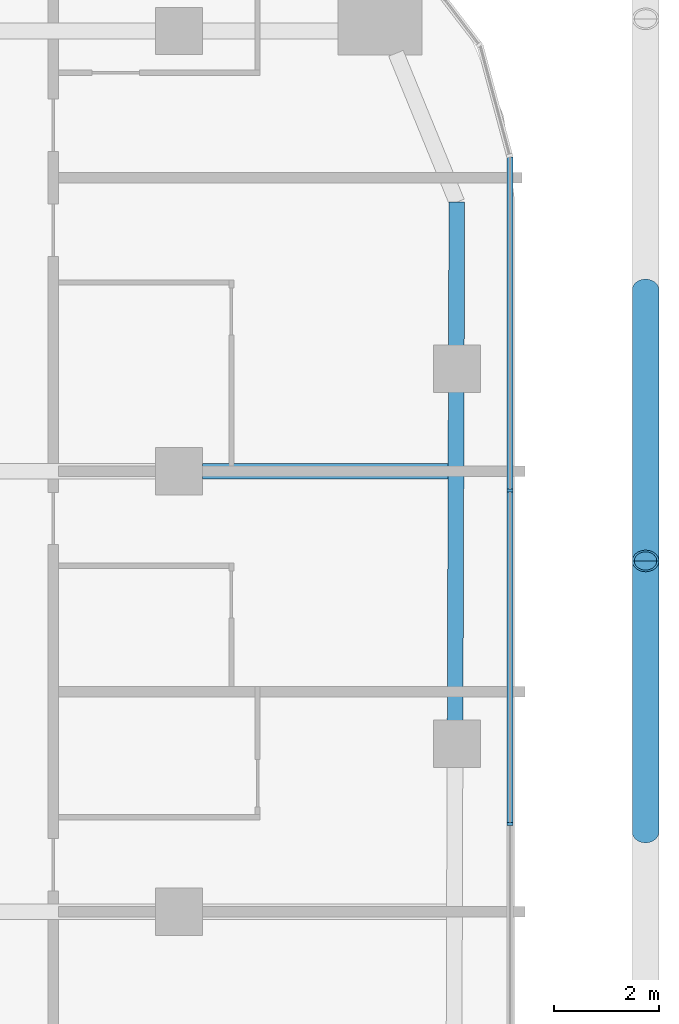
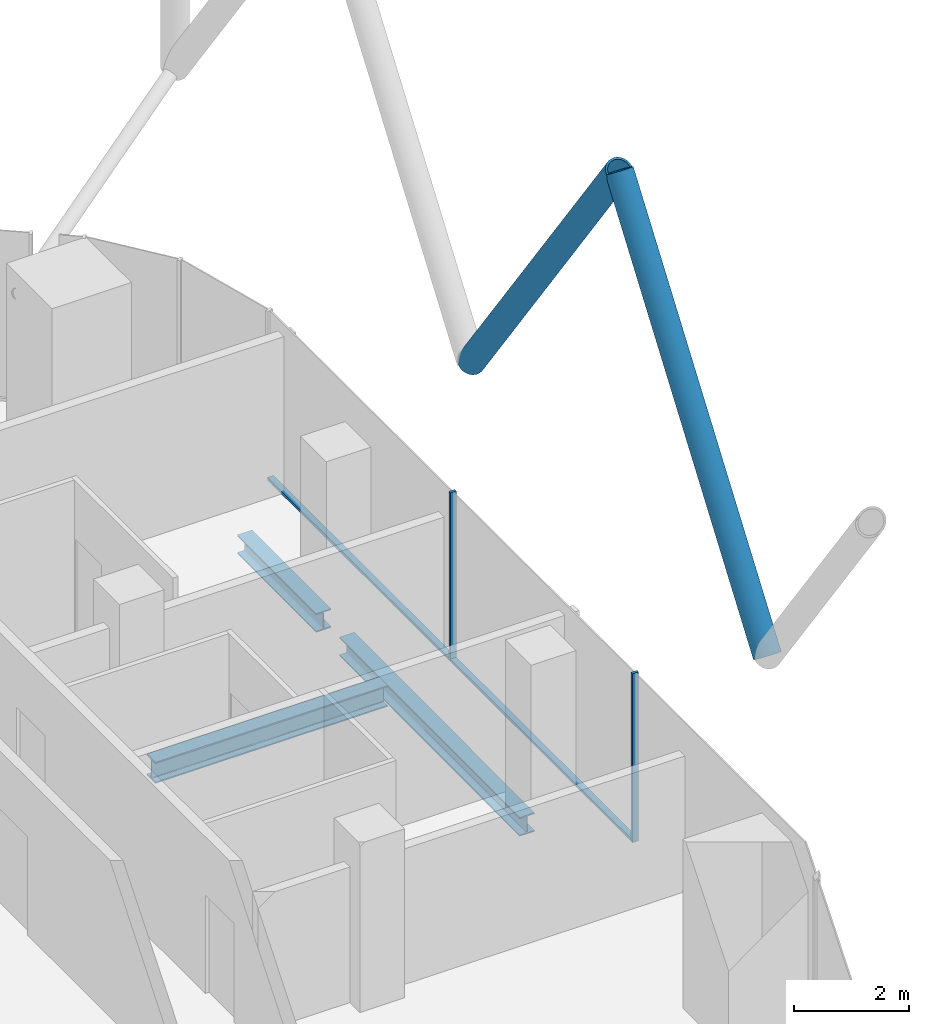
# One storey, part 13 of 33: 6 members, 3 beams, 1 element without a shape of its own.
"""IFC4 building model written with IfcOpenShell, lengths in metres."""

import ifcopenshell
import ifcopenshell.guid

model = None  # the IFC model being written
_history = None  # IfcOwnerHistory: only IFC2X3 demands one
_inside = {}  # id of a spatial element -> (the spatial element, [elements in it])
_under = {}  # id of a project, library or spatial element -> (it, [spatial elements below it])
_declared = {}  # id of a project -> (the project, [libraries it declares])
_typed = {}  # id of a type object -> (the type object, [elements of that type])
_made_of = {}  # id of a material, layer set ... -> (it, [elements and type objects made of it])


def new_model(schema):
    """Start an empty IFC model of exactly this schema.

    Asked for "IFC4X3", IfcOpenShell would pick the latest addendum, in which some entities
    have other attributes; the version numbers below select the first issue.
    IFC2X3 requires an IfcOwnerHistory on every rooted entity: one is made here for all.
    """
    global model, _history
    if schema == "IFC4X3":
        model = ifcopenshell.file(schema_version=(4, 3, 0, 0))
    else:
        model = ifcopenshell.file(schema=schema)
    _inside.clear()
    _under.clear()
    _declared.clear()
    _typed.clear()
    _made_of.clear()
    _history = None
    if model.schema == "IFC2X3":
        org = make("IfcOrganization", Name="unknown")
        user = make(
            "IfcPersonAndOrganization",
            ThePerson=make("IfcPerson", FamilyName="unknown"),
            TheOrganization=org,
        )
        app = make(
            "IfcApplication",
            ApplicationDeveloper=org,
            Version="unknown",
            ApplicationFullName="unknown",
            ApplicationIdentifier="unknown",
        )
        _history = make(
            "IfcOwnerHistory",
            OwningUser=user,
            OwningApplication=app,
            ChangeAction="ADDED",
            CreationDate=0,
        )
    return model


def make(cls, **values):
    """One entity of the class cls with the attributes given. An attribute that is None is left unset."""
    return model.create_entity(
        cls, **{name: value for name, value in values.items() if value is not None}
    )


def rooted(cls, **values):
    """An entity with a GlobalId (a new one), such as an element, a storey or a relation."""
    return make(cls, GlobalId=ifcopenshell.guid.new(), OwnerHistory=_history, **values)


def si_unit(unit_type, name, prefix=None):
    """IfcSIUnit, for example si_unit("LENGTHUNIT", "METRE", prefix="MILLI")."""
    return make("IfcSIUnit", UnitType=unit_type, Prefix=prefix, Name=name)


def assignment(units):
    """IfcUnitAssignment: the units of a project."""
    return None if units is None else make("IfcUnitAssignment", Units=units)


def point(xyz):
    """IfcCartesianPoint."""
    return None if xyz is None else make("IfcCartesianPoint", Coordinates=xyz)


def direction(xyz):
    """IfcDirection."""
    return None if xyz is None else make("IfcDirection", DirectionRatios=xyz)


def frame(location, z_axis=None, x_axis=None):
    """IfcAxis2Placement3D, a coordinate frame: its origin and axes. An axis left out is left unset."""
    return make(
        "IfcAxis2Placement3D",
        Location=point(location),
        Axis=direction(z_axis),
        RefDirection=direction(x_axis),
    )


def frame_2d(location, x_axis=None):
    """IfcAxis2Placement2D, a coordinate frame in the plane: its origin and x axis."""
    return make(
        "IfcAxis2Placement2D", Location=point(location), RefDirection=direction(x_axis)
    )


def origin():
    """The frame at (0, 0, 0) with its axes left unset."""
    return frame((0.0, 0.0, 0.0))


def origin_2d():
    """The frame at (0, 0) in the plane with its x axis left unset."""
    return frame_2d((0.0, 0.0))


def place(relative_to, where):
    """IfcLocalPlacement: puts the frame where relative to a parent placement (None: the world)."""
    return make(
        "IfcLocalPlacement", PlacementRelTo=relative_to, RelativePlacement=where
    )


def context(
    kind, dimensions, precision=None, world=None, true_north=None, identifier=None
):
    """IfcGeometricRepresentationContext, for example the 3D "Model" context."""
    return make(
        "IfcGeometricRepresentationContext",
        ContextIdentifier=identifier,
        ContextType=kind,
        CoordinateSpaceDimension=dimensions,
        Precision=precision,
        WorldCoordinateSystem=world,
        TrueNorth=true_north,
    )


def subcontext(parent, identifier, kind, view, scale=None):
    """IfcGeometricRepresentationSubContext, for example "Body" below "Model"."""
    return make(
        "IfcGeometricRepresentationSubContext",
        ContextIdentifier=identifier,
        ContextType=kind,
        ParentContext=parent,
        TargetScale=scale,
        TargetView=view,
    )


def project(units=None, contexts=None):
    """IfcProject with its units and contexts."""
    return rooted(
        "IfcProject",
        Name="project",
        RepresentationContexts=contexts,
        UnitsInContext=assignment(units),
    )


def spatial(cls, under=None, at=None, **own):
    """A site, building, storey or space (cls), placed at a placement, below another one or the project."""
    s = rooted(cls, ObjectPlacement=at, **own)
    if under is not None:
        _under.setdefault(under.id(), (under, []))[1].append(s)
    return s


def profile(cls, at=None, kind="AREA", **sizes):
    """A parametric profile (cls). Its sizes go by their IFC names, for example OverallWidth=200.0."""
    return make(cls, ProfileType=kind, Position=at, **sizes)


def rectangle(**sizes):
    """IfcRectangleProfileDef."""
    return profile("IfcRectangleProfileDef", **sizes)


def hollow_circle(**sizes):
    """IfcCircleHollowProfileDef."""
    return profile("IfcCircleHollowProfileDef", **sizes)


def i_section(**sizes):
    """IfcIShapeProfileDef."""
    return profile("IfcIShapeProfileDef", **sizes)


def extrude(swept, where, along, depth):
    """IfcExtrudedAreaSolid: the profile swept, set in the frame where, extruded along a direction by depth."""
    return make(
        "IfcExtrudedAreaSolid",
        SweptArea=swept,
        Position=where,
        ExtrudedDirection=direction(along),
        Depth=depth,
    )


def shape(context_of_items, identifier, shape_type, items):
    """IfcShapeRepresentation: the items that make up one representation, for example the "Body"."""
    return make(
        "IfcShapeRepresentation",
        ContextOfItems=context_of_items,
        RepresentationIdentifier=identifier,
        RepresentationType=shape_type,
        Items=items,
    )


def material(Name=None, Category=None):
    """IfcMaterial."""
    return make("IfcMaterial", Name=Name, Category=Category)


def layer(
    of_material, thickness, ventilated=None, Name=None, Category=None, Priority=None
):
    """IfcMaterialLayer: one layer of a wall or slab, of a material (None: an air gap)."""
    return make(
        "IfcMaterialLayer",
        Material=of_material,
        LayerThickness=thickness,
        IsVentilated=ventilated,
        Name=Name,
        Category=Category,
        Priority=Priority,
    )


def layer_set(layers, Name=None):
    """IfcMaterialLayerSet."""
    return make("IfcMaterialLayerSet", MaterialLayers=layers, LayerSetName=Name)


def material_profile(
    of_material, cross_section, Name=None, Category=None, Priority=None
):
    """IfcMaterialProfile: a cross section and its material."""
    return make(
        "IfcMaterialProfile",
        Name=Name,
        Material=of_material,
        Profile=cross_section,
        Priority=Priority,
        Category=Category,
    )


def profile_set(profiles, Name=None, composite=None):
    """IfcMaterialProfileSet."""
    return make(
        "IfcMaterialProfileSet",
        Name=Name,
        MaterialProfiles=profiles,
        CompositeProfile=composite,
    )


def made_of(thing, what):
    """Note that an element or type object is made of a material, layer set ...; save() writes the relation."""
    if what is not None:
        _made_of.setdefault(what.id(), (what, []))[1].append(thing)
    return thing


def type_object(cls, material=None, **own):
    """A type object (cls), such as IfcWallType, which elements share."""
    return made_of(rooted(cls, **own), material)


def element(
    cls,
    number,
    at=None,
    inside=None,
    cuts=None,
    type_object=None,
    material=None,
    context=None,
    identifier="Body",
    shape_type=None,
    held_by="IfcProductDefinitionShape",
    body=None,
    shapes=None,
    **own,
):
    """One element of the class cls, such as IfcWall. Its Tag is "e" and its number.

    at: its placement. inside: the storey or other place that contains it. cuts: it is an
    opening in that element (IfcRelVoidsElement). A single representation is given by context,
    identifier, shape_type and body (its items); several are given by shapes. held_by: the class
    of the entity that holds the representations. save() writes the other relations.
    """
    e = rooted(cls, Tag="e%d" % number, ObjectPlacement=at, **own)
    if body is not None:
        shapes = [shape(context, identifier, shape_type, body)]
    if shapes is not None:
        e.Representation = make(held_by, Representations=shapes)
    if inside is not None:
        _inside.setdefault(inside.id(), (inside, []))[1].append(e)
    if cuts is not None:
        rooted(
            "IfcRelVoidsElement", RelatingBuildingElement=cuts, RelatedOpeningElement=e
        )
    if type_object is not None:
        _typed.setdefault(type_object.id(), (type_object, []))[1].append(e)
    return made_of(e, material)


def aggregate(whole, parts):
    """IfcRelAggregates: a whole, such as a stair, and the parts it consists of."""
    return rooted("IfcRelAggregates", RelatingObject=whole, RelatedObjects=parts)


def save(model, path):
    """Write the relations noted so far, then the file.

    IfcRelAggregates (storeys below a building ...), IfcRelContainedInSpatialStructure (elements
    in a storey), IfcRelDefinesByType, IfcRelAssociatesMaterial and IfcRelDeclares: one each for
    every whole, place, type object, material and project.
    """
    for whole, parts in _under.values():
        aggregate(whole, parts)
    for where, things in _inside.values():
        rooted(
            "IfcRelContainedInSpatialStructure",
            RelatedElements=things,
            RelatingStructure=where,
        )
    for kind, things in _typed.values():
        rooted("IfcRelDefinesByType", RelatedObjects=things, RelatingType=kind)
    for what, things in _made_of.values():
        rooted("IfcRelAssociatesMaterial", RelatedObjects=things, RelatingMaterial=what)
    for by, libraries in _declared.values():
        rooted("IfcRelDeclares", RelatingContext=by, RelatedDefinitions=libraries)
    model.write(path)


model = new_model("IFC4")

# Units and contexts
model_context = context("Model", 3, precision=1e-05, world=origin(), true_north=direction((0.0, 1.0)))
body_context = subcontext(model_context, "Body", "Model", "MODEL_VIEW")
ifc_project = project(units=[si_unit("LENGTHUNIT", "METRE"), si_unit("AREAUNIT", "SQUARE_METRE"), si_unit("VOLUMEUNIT", "CUBIC_METRE"), si_unit("PLANEANGLEUNIT", "RADIAN"), si_unit("MASSUNIT", "GRAM", prefix="KILO")], contexts=[model_context])

# Site, building, storey
site_placement = place(None, origin())
site = spatial("IfcSite", under=ifc_project, at=site_placement, CompositionType="ELEMENT")
building_placement = place(site_placement, origin())
building = spatial("IfcBuilding", under=site, at=building_placement, Name="Marenta Gate Hotel Tower", CompositionType="ELEMENT")
storey_placement = place(building_placement, frame((0.0, 0.0, 108.5)))
storey = spatial("IfcBuildingStorey", under=building, at=storey_placement, Name="L23", CompositionType="ELEMENT", Elevation=108.5)

# Members
ifc_material_1 = material(Name="Steel S355J2W", Category="steel")
ifc_material_profile_1 = material_profile(ifc_material_1, hollow_circle(Radius=0.25390625, WallThickness=0.0400390625, at=origin_2d()), Name="CHS 508x40")
ifc_profile_set_1 = profile_set([ifc_material_profile_1], Name="Steel S355J2W")
member_type_1 = type_object("IfcMemberType", Name="Diagrid diagonal Z2 CHS 508x40", PredefinedType="BRACE", material=ifc_profile_set_1)
member_1_placement = place(storey_placement, frame((29.89990234375, 20.260009765625, 3.139892578125), z_axis=(0.0, -0.583247791947, 0.812294289767), x_axis=(1.0, 0.0, 0.0)))
element("IfcMember", 1, at=member_1_placement, inside=storey, type_object=member_type_1, Name="L23-DG-3", PredefinedType="BRACE", context=body_context, shape_type="SweptSolid", body=[
    extrude(hollow_circle(Radius=0.25390625, WallThickness=0.0400390625, at=origin_2d()), origin(), (0.0, 0.0, 1.0), 8.864013671875),
])
member_2_placement = place(storey_placement, frame((29.89990234375, 9.919921875, 3.139892578125), z_axis=(0.0, 0.583265964901, 0.81228124082), x_axis=(-1.0, 0.0, 0.0)))
element("IfcMember", 2, at=member_2_placement, inside=storey, type_object=member_type_1, Name="L23-DG-4", PredefinedType="BRACE", context=body_context, shape_type="SweptSolid", body=[
    extrude(hollow_circle(Radius=0.25390625, WallThickness=0.0400390625, at=origin_2d()), origin(), (0.0, 0.0, 1.0), 8.8642578125),
])

# Beams
ifc_material_2 = material(Name="Steel S355", Category="steel")
ifc_material_profile_2 = material_profile(ifc_material_2, i_section(OverallWidth=0.300048828125, OverallDepth=0.39990234375, WebThickness=0.013427734375, FlangeThickness=0.02392578125, FilletRadius=0.027099609375, at=origin_2d()), Name="HEB 400")
ifc_profile_set_2 = profile_set([ifc_material_profile_2], Name="Steel S355")
beam_type_1 = type_object("IfcBeamType", Name="Edge beam HEB 400", PredefinedType="SPANDREL", material=ifc_profile_set_2)
beam_1_placement = place(storey_placement, frame((26.300048828125, 21.9345703125, -0.4599609375), z_axis=(-0.003351542298, -0.999994383566, 0.0), x_axis=(0.999994383566, -0.003351542298, 0.0)))
element("IfcBeam", 3, at=beam_1_placement, inside=storey, type_object=beam_type_1, Name="L23-EB-22", PredefinedType="SPANDREL", context=body_context, shape_type="SweptSolid", body=[
    extrude(i_section(OverallWidth=0.300048828125, OverallDepth=0.39990234375, WebThickness=0.013427734375, FlangeThickness=0.02392578125, FilletRadius=0.027099609375, at=origin_2d()), origin(), (0.0, 0.0, 1.0), 2.76806640625),
])
beam_2_placement = place(storey_placement, frame((26.2880859375, 18.346435546875, -0.4599609375), z_axis=(-0.00335374545, -0.99999437618, 0.0), x_axis=(0.99999437618, -0.00335374545, 0.0)))
element("IfcBeam", 4, at=beam_2_placement, inside=storey, type_object=beam_type_1, Name="L23-EB-23", PredefinedType="SPANDREL", context=body_context, shape_type="SweptSolid", body=[
    extrude(i_section(OverallWidth=0.300048828125, OverallDepth=0.39990234375, WebThickness=0.013427734375, FlangeThickness=0.02392578125, FilletRadius=0.027099609375, at=origin_2d()), origin(), (0.0, 0.0, 1.0), 6.333251953125),
])
ifc_material_3 = material(Name="Steel S355", Category="steel")
ifc_material_profile_3 = material_profile(ifc_material_3, i_section(OverallWidth=0.300048828125, OverallDepth=0.449951171875, WebThickness=0.013916015625, FlangeThickness=0.02587890625, FilletRadius=0.027099609375, at=origin_2d()), Name="HEB 450")
ifc_profile_set_3 = profile_set([ifc_material_profile_3], Name="Steel S355")
beam_type_2 = type_object("IfcBeamType", Name="Girder HEB 450", PredefinedType="BEAM", material=ifc_profile_set_3)
beam_3_placement = place(storey_placement, frame((21.449951171875, 16.800048828125, -0.485107421875), z_axis=(1.0, 0.0, 0.0), x_axis=(0.0, 1.0, 0.0)))
element("IfcBeam", 5, at=beam_3_placement, inside=storey, type_object=beam_type_2, Name="L23-GD-28", PredefinedType="BEAM", context=body_context, shape_type="SweptSolid", body=[
    extrude(i_section(OverallWidth=0.300048828125, OverallDepth=0.449951171875, WebThickness=0.013916015625, FlangeThickness=0.02587890625, FilletRadius=0.027099609375, at=origin_2d()), origin(), (0.0, 0.0, 1.0), 4.682861328125),
])

# Curtain wall, members
ifc_material_4 = material(Name="Tinted insulated glass in bronze anodised frame", Category="glass")
ifc_layer = layer(ifc_material_4, 0.1201171875)
ifc_layer_set = layer_set([ifc_layer], Name="Tinted insulated glass in bronze anodised frame")
curtain_wall_type = type_object("IfcCurtainWallType", Name="Tower unitised curtain wall CW1", PredefinedType="NOTDEFINED", material=ifc_layer_set)
curtain_wall_placement = place(storey_placement, origin())
curtain_wall = element("IfcCurtainWall", 6, at=curtain_wall_placement, inside=storey, type_object=curtain_wall_type, Name="CW1 run G19", PredefinedType="NOTDEFINED")
ifc_material_5 = material(Name="Bronze anodised aluminium", Category="aluminium")
ifc_material_profile_4 = material_profile(ifc_material_5, rectangle(XDim=0.1201171875, YDim=0.06005859375, at=origin_2d()), Name="Mullion CW1 60x120 bronze anodised aluminium")
ifc_profile_set_4 = profile_set([ifc_material_profile_4], Name="Bronze anodised aluminium")
member_type_2 = type_object("IfcMemberType", Name="Mullion CW1 60x120 bronze anodised aluminium", PredefinedType="MULLION", material=ifc_profile_set_4)
member_3_placement = place(storey_placement, frame((27.31396484375, 10.072021484375, 0.0), z_axis=(0.0, 0.0, 1.0), x_axis=(-1.0, 0.0, 0.0)))
member_3 = element("IfcMember", 7, at=member_3_placement, type_object=member_type_2, Name="CW1 mullion 5", PredefinedType="MULLION", context=body_context, shape_type="SweptSolid", body=[
    extrude(rectangle(XDim=0.1201171875, YDim=0.06005859375, at=origin_2d()), origin(), (0.0, 0.0, 1.0), 3.60009765625),
])
member_4_placement = place(storey_placement, frame((27.31396484375, 16.431884765625, 0.0), z_axis=(0.0, 0.0, 1.0), x_axis=(-1.0, 0.0, 0.0)))
member_4 = element("IfcMember", 8, at=member_4_placement, type_object=member_type_2, Name="CW1 mullion 6", PredefinedType="MULLION", context=body_context, shape_type="SweptSolid", body=[
    extrude(rectangle(XDim=0.1201171875, YDim=0.06005859375, at=origin_2d()), origin(), (0.0, 0.0, 1.0), 3.60009765625),
])
ifc_material_6 = material(Name="Bronze anodised aluminium", Category="aluminium")
ifc_material_profile_5 = material_profile(ifc_material_6, rectangle(XDim=0.1201171875, YDim=0.06005859375, at=origin_2d()), Name="Transom CW1 60x120 bronze anodised aluminium")
ifc_profile_set_5 = profile_set([ifc_material_profile_5], Name="Bronze anodised aluminium")
member_type_3 = type_object("IfcMemberType", Name="Transom CW1 60x120 bronze anodised aluminium", PredefinedType="USERDEFINED", material=ifc_profile_set_5)
member_5_placement = place(storey_placement, frame((27.31396484375, 10.10205078125, 0.030029296875), z_axis=(0.0, 1.0, 0.0), x_axis=(-1.0, 0.0, 0.0)))
member_5 = element("IfcMember", 9, at=member_5_placement, type_object=member_type_3, Name="CW1 transom 5.1", ObjectType="TRANSOM", PredefinedType="USERDEFINED", context=body_context, shape_type="SweptSolid", body=[
    extrude(rectangle(XDim=0.1201171875, YDim=0.06005859375, at=origin_2d()), origin(), (0.0, 0.0, 1.0), 6.2998046875),
])
member_6_placement = place(storey_placement, frame((27.31396484375, 16.4619140625, 0.030029296875), z_axis=(0.0, 1.0, 0.0), x_axis=(-1.0, 0.0, 0.0)))
member_6 = element("IfcMember", 10, at=member_6_placement, type_object=member_type_3, Name="CW1 transom 6.1", ObjectType="TRANSOM", PredefinedType="USERDEFINED", context=body_context, shape_type="SweptSolid", body=[
    extrude(rectangle(XDim=0.1201171875, YDim=0.06005859375, at=origin_2d()), origin(), (0.0, 0.0, 1.0), 6.330078125),
])
aggregate(curtain_wall, [member_3, member_4, member_5, member_6])

save(model, "model.ifc")
